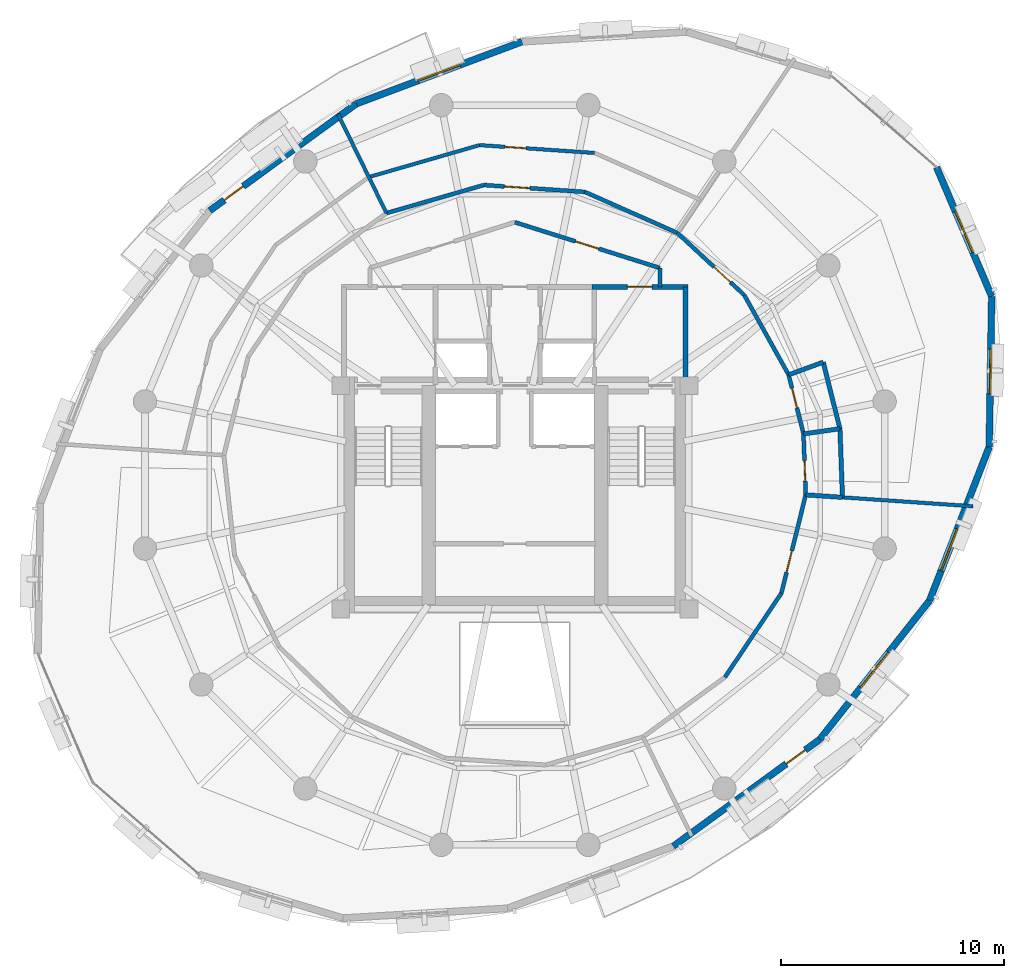
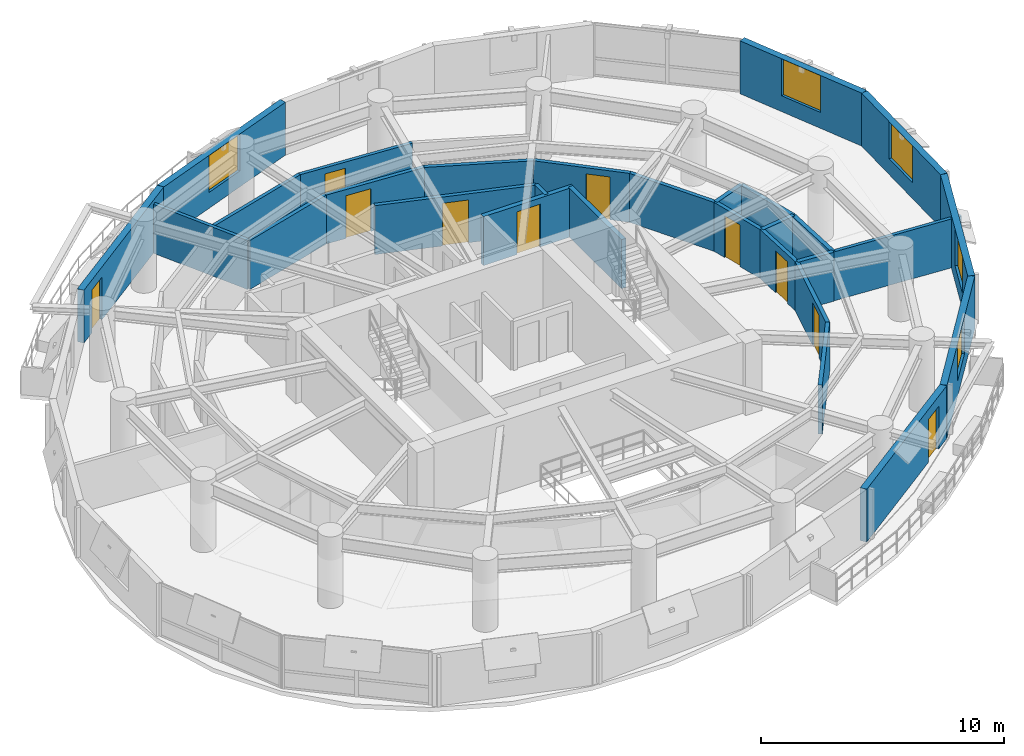
# One storey, part 9 of 12: 29 walls, 10 doors, 5 windows, 15 openings.
"""IFC4 building model written with IfcOpenShell, lengths in metres."""

from ifc_helpers import new_model, si_unit, direction, frame, frame_2d, origin, place, context, subcontext, project, spatial, rectangle, extrude, material, layer, layer_set, type_object, element, fill, save


model = new_model("IFC4")

# Units and contexts
model_context = context("Model", 3, precision=1e-05, world=origin(), true_north=direction((0.0, 1.0)))
body_context = subcontext(model_context, "Body", "Model", "MODEL_VIEW")
ifc_project = project(units=[si_unit("LENGTHUNIT", "METRE"), si_unit("AREAUNIT", "SQUARE_METRE"), si_unit("VOLUMEUNIT", "CUBIC_METRE"), si_unit("PLANEANGLEUNIT", "RADIAN"), si_unit("MASSUNIT", "GRAM", prefix="KILO"), si_unit("THERMODYNAMICTEMPERATUREUNIT", "KELVIN"), si_unit("POWERUNIT", "WATT")], contexts=[model_context])

# Site, building, storey
site_placement = place(None, origin())
site = spatial("IfcSite", under=ifc_project, at=site_placement, CompositionType="ELEMENT")
building_placement = place(site_placement, origin())
building = spatial("IfcBuilding", under=site, at=building_placement, Name="Ocrelia Relay Tower", CompositionType="ELEMENT")
storey_placement = place(building_placement, frame((0.0, 0.0, 184.39990234375)))
storey = spatial("IfcBuildingStorey", under=building, at=storey_placement, Name="L44", CompositionType="ELEMENT", Elevation=184.39990234375)

# Wall
ifc_material_1 = material(Name="Gypsum Fireboard Partition EI60", Category="gypsum")
ifc_layer_1 = layer(ifc_material_1, 0.179931640625, Name="Gypsum Fireboard Partition EI60")
ifc_layer_set_1 = layer_set([ifc_layer_1], Name="Gypsum Fireboard Partition EI60")
wall_type_1 = type_object("IfcWallType", Name="W-CORR-EI60-180", PredefinedType="PARTITIONING", material=ifc_layer_set_1)
wall_1_placement = place(storey_placement, frame((40.5, 35.280029296875, 0.0), z_axis=(0.0, 0.0, 1.0), x_axis=(0.0, -1.0, 0.0)))
element("IfcWall", 1, at=wall_1_placement, inside=storey, type_object=wall_type_1, Name="L44 Smoke Lobby East Return", PredefinedType="PARTITIONING", context=body_context, shape_type="SweptSolid", body=[
    extrude(rectangle(XDim=0.85009765625, YDim=0.179931640625, at=frame_2d((0.425048828125, 0.0))), origin(), (0.0, 0.0, 1.0), 2.460205078125),
])

# Wall, opening, door
wall_2_placement = place(storey_placement, frame((34.0, 37.330078125, 0.0), z_axis=(0.0, 0.0, 1.0), x_axis=(0.953691418528, -0.300786765376, 0.0)))
wall_2 = element("IfcWall", 2, at=wall_2_placement, inside=storey, type_object=wall_type_1, Name="L44 North Smoke Lobby E Screen Wall", PredefinedType="PARTITIONING", context=body_context, shape_type="SweptSolid", body=[
    extrude(rectangle(XDim=6.815673828125, YDim=0.179931640625, at=frame_2d((3.40771484375, 0.0))), origin(), (0.0, 0.0, 1.0), 2.460205078125),
])
opening_1_placement = place(wall_2_placement, frame((2.85791015625, 0.0, 0.0)))
opening_1 = element("IfcOpeningElement", 3, at=opening_1_placement, cuts=wall_2, Name="Opening D-FD60", PredefinedType="OPENING", context=body_context, shape_type="SweptSolid", body=[
    extrude(rectangle(XDim=1.10009765625, YDim=2.14990234375, at=frame_2d((0.550048828125, 1.074951171875))), frame((0.0, 0.10009765625, 0.0), z_axis=(0.0, -1.0, 0.0), x_axis=(1.0, 0.0, 0.0)), (0.0, 0.0, 1.0), 0.199951171875),
])
ifc_material_2 = material(Name="Timber-core 60-min acoustic fire door", Category="wood")
door_type_1 = type_object("IfcDoorType", Name="DR-LOBBY-FD60-1100", OperationType="NOTDEFINED", PredefinedType="DOOR", material=ifc_material_2)
door_1_placement = place(opening_1_placement, origin())
door_1 = element("IfcDoor", 4, at=door_1_placement, inside=storey, type_object=door_type_1, Name="L44 North Smoke Lobby E Fire Door", OperationType="SINGLE_SWING_LEFT", OverallHeight=2.14990234375, OverallWidth=1.10009765625, PredefinedType="DOOR", context=body_context, shape_type="SweptSolid", body=[
    extrude(rectangle(XDim=1.10009765625, YDim=2.14990234375, at=frame_2d((0.550048828125, 1.074951171875))), frame((0.0, 0.02490234375, 0.0), z_axis=(0.0, -1.0, 0.0), x_axis=(1.0, 0.0, 0.0)), (0.0, 0.0, 1.0), 0.050048828125),
])
fill(opening_1, door_1)

wall_3_placement = place(storey_placement, frame((47.039794921875, 25.111083984375, 0.0), z_axis=(0.0, 0.0, 1.0), x_axis=(-0.036634904667, 0.999328716569, 0.0)))
wall_3 = element("IfcWall", 5, at=wall_3_placement, inside=storey, type_object=wall_type_1, Name="L44 Staff Toilet Corridor Wall", PredefinedType="PARTITIONING", context=body_context, shape_type="SweptSolid", body=[
    extrude(rectangle(XDim=2.732421875, YDim=0.179931640625, at=frame_2d((1.3662109375, 0.0))), origin(), (0.0, 0.0, 1.0), 2.460205078125),
])
opening_2_placement = place(wall_3_placement, frame((0.61572265625, 0.0, 0.0)))
opening_2 = element("IfcOpeningElement", 6, at=opening_2_placement, cuts=wall_3, Name="Opening D-WC92", PredefinedType="OPENING", context=body_context, shape_type="SweptSolid", body=[
    extrude(rectangle(XDim=0.919921875, YDim=2.10009765625, at=frame_2d((0.4599609375, 1.050048828125))), frame((0.0, 0.10009765625, 0.0), z_axis=(0.0, -1.0, 0.0), x_axis=(1.0, 0.0, 0.0)), (0.0, 0.0, 1.0), 0.199951171875),
])
ifc_material_3 = material(Name="Laminate washroom door", Category="wood")
door_type_2 = type_object("IfcDoorType", Name="DR-WC-920", OperationType="NOTDEFINED", PredefinedType="DOOR", material=ifc_material_3)
door_2_placement = place(opening_2_placement, origin())
door_2 = element("IfcDoor", 7, at=door_2_placement, inside=storey, type_object=door_type_2, Name="L44 Staff Toilet Door", OperationType="SINGLE_SWING_RIGHT", OverallHeight=2.10009765625, OverallWidth=0.919921875, PredefinedType="DOOR", context=body_context, shape_type="SweptSolid", body=[
    extrude(rectangle(XDim=0.919921875, YDim=2.10009765625, at=frame_2d((0.4599609375, 1.050048828125))), frame((0.0, 0.02490234375, 0.0), z_axis=(0.0, -1.0, 0.0), x_axis=(1.0, 0.0, 0.0)), (0.0, 0.0, 1.0), 0.050048828125),
])
fill(opening_2, door_2)

wall_4_placement = place(storey_placement, frame((46.939697265625, 27.841552734375, 0.0), z_axis=(0.0, 0.0, 1.0), x_axis=(-0.243649676588, 0.96986330743, 0.0)))
wall_4 = element("IfcWall", 8, at=wall_4_placement, inside=storey, type_object=wall_type_1, Name="L44 Accessible Toilet Corridor Wall", PredefinedType="PARTITIONING", context=body_context, shape_type="SweptSolid", body=[
    extrude(rectangle(XDim=2.732421875, YDim=0.179931640625, at=frame_2d((1.3662109375, 0.0))), origin(), (0.0, 0.0, 1.0), 2.460205078125),
])
opening_3_placement = place(wall_4_placement, frame((1.196533203125, 0.0, 0.0)))
opening_3 = element("IfcOpeningElement", 9, at=opening_3_placement, cuts=wall_4, Name="Opening D-WC92", PredefinedType="OPENING", context=body_context, shape_type="SweptSolid", body=[
    extrude(rectangle(XDim=0.919921875, YDim=2.10009765625, at=frame_2d((0.4599609375, 1.050048828125))), frame((0.0, 0.10009765625, 0.0), z_axis=(0.0, -1.0, 0.0), x_axis=(1.0, 0.0, 0.0)), (0.0, 0.0, 1.0), 0.199951171875),
])
door_3_placement = place(opening_3_placement, origin())
door_3 = element("IfcDoor", 10, at=door_3_placement, inside=storey, type_object=door_type_2, Name="L44 Accessible Toilet Door", OperationType="SINGLE_SWING_LEFT", OverallHeight=2.10009765625, OverallWidth=0.919921875, PredefinedType="DOOR", context=body_context, shape_type="SweptSolid", body=[
    extrude(rectangle(XDim=0.919921875, YDim=2.10009765625, at=frame_2d((0.4599609375, 1.050048828125))), frame((0.0, 0.02490234375, 0.0), z_axis=(0.0, -1.0, 0.0), x_axis=(1.0, 0.0, 0.0)), (0.0, 0.0, 1.0), 0.050048828125),
])
fill(opening_3, door_3)

# Wall
wall_5_placement = place(storey_placement, frame((46.27392578125, 30.49169921875, 0.0), z_axis=(0.0, 0.0, 1.0), x_axis=(-0.486347391243, 0.873765537791, 0.0)))
element("IfcWall", 11, at=wall_5_placement, inside=storey, type_object=wall_type_1, Name="L44 Technical Reference Library Corridor Partition 1", PredefinedType="PARTITIONING", context=body_context, shape_type="SweptSolid", body=[
    extrude(rectangle(XDim=4.089111328125, YDim=0.179931640625, at=frame_2d((2.04443359375, 0.0))), origin(), (0.0, 0.0, 1.0), 2.460205078125),
])

# Wall, opening, door
wall_6_placement = place(storey_placement, frame((44.28515625, 34.064697265625, 0.0), z_axis=(0.0, 0.0, 1.0), x_axis=(-0.73251486361, 0.680751037157, 0.0)))
wall_6 = element("IfcWall", 12, at=wall_6_placement, inside=storey, type_object=wall_type_1, Name="L44 Technical Reference Library Corridor Partition 2", PredefinedType="PARTITIONING", context=body_context, shape_type="SweptSolid", body=[
    extrude(rectangle(XDim=4.089111328125, YDim=0.179931640625, at=frame_2d((2.04443359375, 0.0))), origin(), (0.0, 0.0, 1.0), 2.460205078125),
])
opening_4_placement = place(wall_6_placement, frame((0.847412109375, 0.0, 0.0)))
opening_4 = element("IfcOpeningElement", 13, at=opening_4_placement, cuts=wall_6, Name="Opening D-RM100", PredefinedType="OPENING", context=body_context, shape_type="SweptSolid", body=[
    extrude(rectangle(XDim=1.0, YDim=2.14990234375, at=frame_2d((0.5, 1.074951171875))), frame((0.0, 0.10009765625, 0.0), z_axis=(0.0, -1.0, 0.0), x_axis=(1.0, 0.0, 0.0)), (0.0, 0.0, 1.0), 0.199951171875),
])
ifc_material_4 = material(Name="Acoustic oak veneer fire door", Category="wood")
door_type_3 = type_object("IfcDoorType", Name="DR-ROOM-FD60-1000", OperationType="NOTDEFINED", PredefinedType="DOOR", material=ifc_material_4)
door_4_placement = place(opening_4_placement, origin())
door_4 = element("IfcDoor", 14, at=door_4_placement, inside=storey, type_object=door_type_3, Name="L44 Technical Reference Library Entrance Door", OperationType="SINGLE_SWING_RIGHT", OverallHeight=2.14990234375, OverallWidth=1.0, PredefinedType="DOOR", context=body_context, shape_type="SweptSolid", body=[
    extrude(rectangle(XDim=1.0, YDim=2.14990234375, at=frame_2d((0.5, 1.074951171875))), frame((0.0, 0.02490234375, 0.0), z_axis=(0.0, -1.0, 0.0), x_axis=(1.0, 0.0, 0.0)), (0.0, 0.0, 1.0), 0.050048828125),
])
fill(opening_4, door_4)

# Wall
wall_7_placement = place(storey_placement, frame((41.289794921875, 36.848388671875, 0.0), z_axis=(0.0, 0.0, 1.0), x_axis=(-0.914263453777, 0.405120151421, 0.0)))
element("IfcWall", 15, at=wall_7_placement, inside=storey, type_object=wall_type_1, Name="L44 Cloud Engineering Workspace Corridor Partition 1", PredefinedType="PARTITIONING", context=body_context, shape_type="SweptSolid", body=[
    extrude(rectangle(XDim=4.5390625, YDim=0.179931640625, at=frame_2d((2.26953125, 0.0))), origin(), (0.0, 0.0, 1.0), 2.460205078125),
])

# Wall, opening, door
wall_8_placement = place(storey_placement, frame((37.139892578125, 38.687255859375, 0.0), z_axis=(0.0, 0.0, 1.0), x_axis=(-0.997682863043, 0.068036055081, 0.0)))
wall_8 = element("IfcWall", 16, at=wall_8_placement, inside=storey, type_object=wall_type_1, Name="L44 Cloud Engineering Workspace Corridor Partition 2", PredefinedType="PARTITIONING", context=body_context, shape_type="SweptSolid", body=[
    extrude(rectangle(XDim=4.539306640625, YDim=0.179931640625, at=frame_2d((2.26953125, 0.0))), origin(), (0.0, 0.0, 1.0), 2.460205078125),
])
opening_5_placement = place(wall_8_placement, frame((2.466796875, 0.0, 0.0)))
opening_5 = element("IfcOpeningElement", 17, at=opening_5_placement, cuts=wall_8, Name="Opening D-RM115", PredefinedType="OPENING", context=body_context, shape_type="SweptSolid", body=[
    extrude(rectangle(XDim=1.14990234375, YDim=2.14990234375, at=frame_2d((0.574951171875, 1.074951171875))), frame((0.0, 0.10009765625, 0.0), z_axis=(0.0, -1.0, 0.0), x_axis=(1.0, 0.0, 0.0)), (0.0, 0.0, 1.0), 0.199951171875),
])
ifc_material_5 = material(Name="Wide acoustic oak veneer fire door", Category="wood")
door_type_4 = type_object("IfcDoorType", Name="DR-ROOM-1150", OperationType="NOTDEFINED", PredefinedType="DOOR", material=ifc_material_5)
door_5_placement = place(opening_5_placement, origin())
door_5 = element("IfcDoor", 18, at=door_5_placement, inside=storey, type_object=door_type_4, Name="L44 Cloud Engineering Workspace Entrance Door", OperationType="SINGLE_SWING_LEFT", OverallHeight=2.14990234375, OverallWidth=1.14990234375, PredefinedType="DOOR", context=body_context, shape_type="SweptSolid", body=[
    extrude(rectangle(XDim=1.14990234375, YDim=2.14990234375, at=frame_2d((0.574951171875, 1.074951171875))), frame((0.0, 0.02490234375, 0.0), z_axis=(0.0, -1.0, 0.0), x_axis=(1.0, 0.0, 0.0)), (0.0, 0.0, 1.0), 0.050048828125),
])
fill(opening_5, door_5)

# Walls
wall_9_placement = place(storey_placement, frame((32.611083984375, 38.99609375, 0.0), z_axis=(0.0, 0.0, 1.0), x_axis=(-0.960777578055, -0.27732011378, 0.0)))
element("IfcWall", 19, at=wall_9_placement, inside=storey, type_object=wall_type_1, Name="L44 Cloud Engineering Workspace Corridor Partition 3", PredefinedType="PARTITIONING", context=body_context, shape_type="SweptSolid", body=[
    extrude(rectangle(XDim=4.5390625, YDim=0.179931640625, at=frame_2d((2.26953125, 0.0))), origin(), (0.0, 0.0, 1.0), 2.460205078125),
])
wall_10_placement = place(storey_placement, frame((43.41748046875, 16.937255859375, 0.0), z_axis=(0.0, 0.0, 1.0), x_axis=(0.557749790802, 0.830009139022, 0.0)))
element("IfcWall", 20, at=wall_10_placement, inside=storey, type_object=wall_type_1, Name="L44 Fiber Patch Store Corridor Partition 2", PredefinedType="PARTITIONING", context=body_context, shape_type="SweptSolid", body=[
    extrude(rectangle(XDim=4.539306640625, YDim=0.179931640625, at=frame_2d((2.26953125, 0.0))), origin(), (0.0, 0.0, 1.0), 2.460205078125),
])

# Wall, opening, door
wall_11_placement = place(storey_placement, frame((45.94921875, 20.704833984375, 0.0), z_axis=(0.0, 0.0, 1.0), x_axis=(0.240257009057, 0.970709312616, 0.0)))
wall_11 = element("IfcWall", 21, at=wall_11_placement, inside=storey, type_object=wall_type_1, Name="L44 Fiber Patch Store Corridor Partition 3", PredefinedType="PARTITIONING", context=body_context, shape_type="SweptSolid", body=[
    extrude(rectangle(XDim=4.539306640625, YDim=0.179931640625, at=frame_2d((2.26953125, 0.0))), origin(), (0.0, 0.0, 1.0), 2.460205078125),
])
opening_6_placement = place(wall_11_placement, frame((0.959716796875, 0.0, 0.0)))
opening_6 = element("IfcOpeningElement", 22, at=opening_6_placement, cuts=wall_11, Name="Opening D-RM100", PredefinedType="OPENING", context=body_context, shape_type="SweptSolid", body=[
    extrude(rectangle(XDim=1.0, YDim=2.14990234375, at=frame_2d((0.5, 1.074951171875))), frame((0.0, 0.10009765625, 0.0), z_axis=(0.0, -1.0, 0.0), x_axis=(1.0, 0.0, 0.0)), (0.0, 0.0, 1.0), 0.199951171875),
])
door_6_placement = place(opening_6_placement, origin())
door_6 = element("IfcDoor", 23, at=door_6_placement, inside=storey, type_object=door_type_3, Name="L44 Fiber Patch Store Entrance Door", OperationType="SINGLE_SWING_RIGHT", OverallHeight=2.14990234375, OverallWidth=1.0, PredefinedType="DOOR", context=body_context, shape_type="SweptSolid", body=[
    extrude(rectangle(XDim=1.0, YDim=2.14990234375, at=frame_2d((0.5, 1.074951171875))), frame((0.0, 0.02490234375, 0.0), z_axis=(0.0, -1.0, 0.0), x_axis=(1.0, 0.0, 0.0)), (0.0, 0.0, 1.0), 0.050048828125),
])
fill(opening_6, door_6)

# Wall, opening, window
ifc_material_6 = material(Name="Precast concrete C40/50 with oxide terracotta", Category="masonry")
ifc_layer_2 = layer(ifc_material_6, 0.300048828125, Name="Precast concrete C40/50 with oxide terracotta")
ifc_layer_set_2 = layer_set([ifc_layer_2], Name="Precast concrete C40/50 with oxide terracotta")
wall_type_2 = type_object("IfcWallType", Name="W-EXT-TERR-300", PredefinedType="SOLIDWALL", material=ifc_layer_set_2)
wall_12_placement = place(storey_placement, frame((34.31982421875, 45.4189453125, 0.0), z_axis=(0.0, 0.0, 1.0), x_axis=(-0.93641901012, -0.350883794846, 0.0)))
wall_12 = element("IfcWall", 24, at=wall_12_placement, inside=storey, type_object=wall_type_2, Name="L44 Oxide Terracotta Facade Wall 04", PredefinedType="SOLIDWALL", context=body_context, shape_type="SweptSolid", body=[
    extrude(rectangle(XDim=7.927001953125, YDim=0.300048828125, at=frame_2d((3.96337890625, 0.0))), origin(), (0.0, 0.0, 1.0), 2.66015625),
])
opening_7_placement = place(wall_12_placement, frame((2.964111328125, 0.0, 0.800048828125)))
opening_7 = element("IfcOpeningElement", 25, at=opening_7_placement, cuts=wall_12, Name="Opening W-03", PredefinedType="OPENING", context=body_context, shape_type="SweptSolid", body=[
    extrude(rectangle(XDim=2.0, YDim=1.85009765625, at=frame_2d((1.0, 0.925048828125))), frame((0.0, 0.16015625, 0.0), z_axis=(0.0, -1.0, 0.0), x_axis=(1.0, 0.0, 0.0)), (0.0, 0.0, 1.0), 0.320068359375),
])
ifc_material_7 = material(Name="Clear double-glazed low-E glass", Category="glass")
window_type = type_object("IfcWindowType", Name="WIN-Z3-2000x2200", PartitioningType="DOUBLE_PANEL_VERTICAL", PredefinedType="WINDOW", material=ifc_material_7)
window_1_placement = place(opening_7_placement, origin())
window_1 = element("IfcWindow", 26, at=window_1_placement, inside=storey, type_object=window_type, Name="L44 Facade Module Window 04", OverallHeight=1.85009765625, OverallWidth=2.0, PartitioningType="SINGLE_PANEL", PredefinedType="WINDOW", context=body_context, shape_type="SweptSolid", body=[
    extrude(rectangle(XDim=2.0, YDim=1.85009765625, at=frame_2d((1.0, 0.925048828125))), frame((0.0, 0.030029296875, 0.0), z_axis=(0.0, -1.0, 0.0), x_axis=(1.0, 0.0, 0.0)), (0.0, 0.0, 1.0), 0.06005859375),
])
fill(opening_7, window_1)

# Wall, opening, door
wall_13_placement = place(storey_placement, frame((26.896728515625, 42.637451171875, 0.0), z_axis=(0.0, 0.0, 1.0), x_axis=(-0.807978032086, -0.589212609901, 0.0)))
wall_13 = element("IfcWall", 27, at=wall_13_placement, inside=storey, type_object=wall_type_2, Name="L44 Oxide Terracotta Facade Wall 05", PredefinedType="SOLIDWALL", context=body_context, shape_type="SweptSolid", body=[
    extrude(rectangle(XDim=8.126708984375, YDim=0.300048828125, at=frame_2d((4.0634765625, 0.0))), origin(), (0.0, 0.0, 1.0), 2.66015625),
])
opening_8_placement = place(wall_13_placement, frame((6.27001953125, 0.0, 0.0)))
opening_8 = element("IfcOpeningElement", 28, at=opening_8_placement, cuts=wall_13, Name="Opening DB-105", PredefinedType="OPENING", context=body_context, shape_type="SweptSolid", body=[
    extrude(rectangle(XDim=1.050048828125, YDim=2.14990234375, at=frame_2d((0.52490234375, 1.074951171875))), frame((0.0, 0.16015625, 0.0), z_axis=(0.0, -1.0, 0.0), x_axis=(1.0, 0.0, 0.0)), (0.0, 0.0, 1.0), 0.320068359375),
])
ifc_material_8 = material(Name="Thermally broken aluminium and clear glass", Category="aluminium")
door_type_5 = type_object("IfcDoorType", Name="DR-BALC-1050", OperationType="NOTDEFINED", PredefinedType="DOOR", material=ifc_material_8)
door_7_placement = place(opening_8_placement, origin())
door_7 = element("IfcDoor", 29, at=door_7_placement, inside=storey, type_object=door_type_5, Name="L44 Planted Loggia Balcony Door B1", OperationType="SINGLE_SWING_LEFT", OverallHeight=2.14990234375, OverallWidth=1.050048828125, PredefinedType="DOOR", context=body_context, shape_type="SweptSolid", body=[
    extrude(rectangle(XDim=1.050048828125, YDim=2.14990234375, at=frame_2d((0.52490234375, 1.074951171875))), frame((0.0, 0.02490234375, 0.0), z_axis=(0.0, -1.0, 0.0), x_axis=(1.0, 0.0, 0.0)), (0.0, 0.0, 1.0), 0.050048828125),
])
fill(opening_8, door_7)

wall_14_placement = place(storey_placement, frame((41.103271484375, 9.362548828125, 0.0), z_axis=(0.0, 0.0, 1.0), x_axis=(0.807978032086, 0.589212609901, 0.0)))
wall_14 = element("IfcWall", 30, at=wall_14_placement, inside=storey, type_object=wall_type_2, Name="L44 Oxide Terracotta Facade Wall 14", PredefinedType="SOLIDWALL", context=body_context, shape_type="SweptSolid", body=[
    extrude(rectangle(XDim=8.126708984375, YDim=0.300048828125, at=frame_2d((4.0634765625, 0.0))), origin(), (0.0, 0.0, 1.0), 2.66015625),
])
opening_9_placement = place(wall_14_placement, frame((6.27001953125, 0.0, 0.0)))
opening_9 = element("IfcOpeningElement", 31, at=opening_9_placement, cuts=wall_14, Name="Opening DB-105", PredefinedType="OPENING", context=body_context, shape_type="SweptSolid", body=[
    extrude(rectangle(XDim=1.050048828125, YDim=2.14990234375, at=frame_2d((0.52490234375, 1.074951171875))), frame((0.0, 0.16015625, 0.0), z_axis=(0.0, -1.0, 0.0), x_axis=(1.0, 0.0, 0.0)), (0.0, 0.0, 1.0), 0.320068359375),
])
door_8_placement = place(opening_9_placement, origin())
door_8 = element("IfcDoor", 32, at=door_8_placement, inside=storey, type_object=door_type_5, Name="L44 Planted Loggia Balcony Door B2", OperationType="SINGLE_SWING_LEFT", OverallHeight=2.14990234375, OverallWidth=1.050048828125, PredefinedType="DOOR", context=body_context, shape_type="SweptSolid", body=[
    extrude(rectangle(XDim=1.050048828125, YDim=2.14990234375, at=frame_2d((0.52490234375, 1.074951171875))), frame((0.0, 0.02490234375, 0.0), z_axis=(0.0, -1.0, 0.0), x_axis=(1.0, 0.0, 0.0)), (0.0, 0.0, 1.0), 0.050048828125),
])
fill(opening_9, door_8)

# Wall, opening, window
wall_15_placement = place(storey_placement, frame((47.66943359375, 14.15087890625, 0.0), z_axis=(0.0, 0.0, 1.0), x_axis=(0.620355005737, 0.784321150331, 0.0)))
wall_15 = element("IfcWall", 33, at=wall_15_placement, inside=storey, type_object=wall_type_2, Name="L44 Oxide Terracotta Facade Wall 15", PredefinedType="SOLIDWALL", context=body_context, shape_type="SweptSolid", body=[
    extrude(rectangle(XDim=7.92724609375, YDim=0.300048828125, at=frame_2d((3.963623046875, 0.0))), origin(), (0.0, 0.0, 1.0), 2.66015625),
])
opening_10_placement = place(wall_15_placement, frame((2.964111328125, 0.0, 0.800048828125)))
opening_10 = element("IfcOpeningElement", 34, at=opening_10_placement, cuts=wall_15, Name="Opening W-03", PredefinedType="OPENING", context=body_context, shape_type="SweptSolid", body=[
    extrude(rectangle(XDim=2.0, YDim=1.85009765625, at=frame_2d((1.0, 0.925048828125))), frame((0.0, 0.16015625, 0.0), z_axis=(0.0, -1.0, 0.0), x_axis=(1.0, 0.0, 0.0)), (0.0, 0.0, 1.0), 0.320068359375),
])
window_2_placement = place(opening_10_placement, origin())
window_2 = element("IfcWindow", 35, at=window_2_placement, inside=storey, type_object=window_type, Name="L44 Facade Module Window 15", OverallHeight=1.85009765625, OverallWidth=2.0, PartitioningType="SINGLE_PANEL", PredefinedType="WINDOW", context=body_context, shape_type="SweptSolid", body=[
    extrude(rectangle(XDim=2.0, YDim=1.85009765625, at=frame_2d((1.0, 0.925048828125))), frame((0.0, 0.030029296875, 0.0), z_axis=(0.0, -1.0, 0.0), x_axis=(1.0, 0.0, 0.0)), (0.0, 0.0, 1.0), 0.06005859375),
])
fill(opening_10, window_2)

wall_16_placement = place(storey_placement, frame((52.587158203125, 20.368408203125, 0.0), z_axis=(0.0, 0.0, 1.0), x_axis=(0.361691208155, 0.93229795127, 0.0)))
wall_16 = element("IfcWall", 36, at=wall_16_placement, inside=storey, type_object=wall_type_2, Name="L44 Oxide Terracotta Facade Wall 16", PredefinedType="SOLIDWALL", context=body_context, shape_type="SweptSolid", body=[
    extrude(rectangle(XDim=7.397216796875, YDim=0.300048828125, at=frame_2d((3.69873046875, 0.0))), origin(), (0.0, 0.0, 1.0), 2.66015625),
])
opening_11_placement = place(wall_16_placement, frame((1.43896484375, 0.0, 0.800048828125)))
opening_11 = element("IfcOpeningElement", 37, at=opening_11_placement, cuts=wall_16, Name="Opening W-03", PredefinedType="OPENING", context=body_context, shape_type="SweptSolid", body=[
    extrude(rectangle(XDim=2.0, YDim=1.85009765625, at=frame_2d((1.0, 0.925048828125))), frame((0.0, 0.16015625, 0.0), z_axis=(0.0, -1.0, 0.0), x_axis=(1.0, 0.0, 0.0)), (0.0, 0.0, 1.0), 0.320068359375),
])
window_3_placement = place(opening_11_placement, origin())
window_3 = element("IfcWindow", 38, at=window_3_placement, inside=storey, type_object=window_type, Name="L44 Facade Module Window 16", OverallHeight=1.85009765625, OverallWidth=2.0, PartitioningType="SINGLE_PANEL", PredefinedType="WINDOW", context=body_context, shape_type="SweptSolid", body=[
    extrude(rectangle(XDim=2.0, YDim=1.85009765625, at=frame_2d((1.0, 0.925048828125))), frame((0.0, 0.030029296875, 0.0), z_axis=(0.0, -1.0, 0.0), x_axis=(1.0, 0.0, 0.0)), (0.0, 0.0, 1.0), 0.06005859375),
])
fill(opening_11, window_3)

wall_17_placement = place(storey_placement, frame((55.2626953125, 27.264892578125, 0.0), z_axis=(0.0, 0.0, 1.0), x_axis=(0.016468950616, 0.999864377636, 0.0)))
wall_17 = element("IfcWall", 39, at=wall_17_placement, inside=storey, type_object=wall_type_2, Name="L44 Oxide Terracotta Facade Wall 17", PredefinedType="SOLIDWALL", context=body_context, shape_type="SweptSolid", body=[
    extrude(rectangle(XDim=6.7451171875, YDim=0.300048828125, at=frame_2d((3.37255859375, 0.0))), origin(), (0.0, 0.0, 1.0), 2.66015625),
])
opening_12_placement = place(wall_17_placement, frame((2.373046875, 0.0, 0.800048828125)))
opening_12 = element("IfcOpeningElement", 40, at=opening_12_placement, cuts=wall_17, Name="Opening W-03", PredefinedType="OPENING", context=body_context, shape_type="SweptSolid", body=[
    extrude(rectangle(XDim=2.0, YDim=1.85009765625, at=frame_2d((1.0, 0.925048828125))), frame((0.0, 0.16015625, 0.0), z_axis=(0.0, -1.0, 0.0), x_axis=(1.0, 0.0, 0.0)), (0.0, 0.0, 1.0), 0.320068359375),
])
window_4_placement = place(opening_12_placement, origin())
window_4 = element("IfcWindow", 41, at=window_4_placement, inside=storey, type_object=window_type, Name="L44 Facade Module Window 17", OverallHeight=1.85009765625, OverallWidth=2.0, PartitioningType="SINGLE_PANEL", PredefinedType="WINDOW", context=body_context, shape_type="SweptSolid", body=[
    extrude(rectangle(XDim=2.0, YDim=1.85009765625, at=frame_2d((1.0, 0.925048828125))), frame((0.0, 0.030029296875, 0.0), z_axis=(0.0, -1.0, 0.0), x_axis=(1.0, 0.0, 0.0)), (0.0, 0.0, 1.0), 0.06005859375),
])
fill(opening_12, window_4)

wall_18_placement = place(storey_placement, frame((55.373779296875, 34.009033203125, 0.0), z_axis=(0.0, 0.0, 1.0), x_axis=(-0.392638555799, 0.919692864222, 0.0)))
wall_18 = element("IfcWall", 42, at=wall_18_placement, inside=storey, type_object=wall_type_2, Name="L44 Oxide Terracotta Facade Wall 18", PredefinedType="SOLIDWALL", context=body_context, shape_type="SweptSolid", body=[
    extrude(rectangle(XDim=6.28271484375, YDim=0.300048828125, at=frame_2d((3.141357421875, 0.0))), origin(), (0.0, 0.0, 1.0), 2.66015625),
])
opening_13_placement = place(wall_18_placement, frame((2.14111328125, 0.0, 0.800048828125)))
opening_13 = element("IfcOpeningElement", 43, at=opening_13_placement, cuts=wall_18, Name="Opening W-03", PredefinedType="OPENING", context=body_context, shape_type="SweptSolid", body=[
    extrude(rectangle(XDim=2.0, YDim=1.85009765625, at=frame_2d((1.0, 0.925048828125))), frame((0.0, 0.16015625, 0.0), z_axis=(0.0, -1.0, 0.0), x_axis=(1.0, 0.0, 0.0)), (0.0, 0.0, 1.0), 0.320068359375),
])
window_5_placement = place(opening_13_placement, origin())
window_5 = element("IfcWindow", 44, at=window_5_placement, inside=storey, type_object=window_type, Name="L44 Facade Module Window 18", OverallHeight=1.85009765625, OverallWidth=2.0, PartitioningType="SINGLE_PANEL", PredefinedType="WINDOW", context=body_context, shape_type="SweptSolid", body=[
    extrude(rectangle(XDim=2.0, YDim=1.85009765625, at=frame_2d((1.0, 0.925048828125))), frame((0.0, 0.030029296875, 0.0), z_axis=(0.0, -1.0, 0.0), x_axis=(1.0, 0.0, 0.0)), (0.0, 0.0, 1.0), 0.06005859375),
])
fill(opening_13, window_5)

# Wall
ifc_material_9 = material(Name="Concrete C50/60", Category="concrete")
ifc_layer_3 = layer(ifc_material_9, 0.219970703125, Name="Concrete C50/60")
ifc_layer_set_3 = layer_set([ifc_layer_3], Name="Concrete C50/60")
wall_type_3 = type_object("IfcWallType", Name="W-FFL-EI120-220", PredefinedType="SOLIDWALL", material=ifc_layer_set_3)
wall_19_placement = place(storey_placement, frame((41.64990234375, 30.050048828125, 0.0), z_axis=(0.0, 0.0, 1.0), x_axis=(0.0, 1.0, 0.0)))
element("IfcWall", 45, at=wall_19_placement, inside=storey, type_object=wall_type_3, Name="L44 E Fire Service Lift Lobby East Wall", PredefinedType="SOLIDWALL", context=body_context, shape_type="SweptSolid", body=[
    extrude(rectangle(XDim=4.3798828125, YDim=0.219970703125, at=frame_2d((2.18994140625, 0.0))), origin(), (0.0, 0.0, 1.0), 2.460205078125),
])

# Wall, opening, door
wall_20_placement = place(storey_placement, frame((37.449951171875, 34.429931640625, 0.0), z_axis=(0.0, 0.0, 1.0), x_axis=(1.0, 0.0, 0.0)))
wall_20 = element("IfcWall", 46, at=wall_20_placement, inside=storey, type_object=wall_type_3, Name="L44 E Fire Service Lift Lobby North Wall", PredefinedType="SOLIDWALL", context=body_context, shape_type="SweptSolid", body=[
    extrude(rectangle(XDim=4.31005859375, YDim=0.219970703125, at=frame_2d((2.155029296875, 0.0))), origin(), (0.0, 0.0, 1.0), 2.460205078125),
])
opening_14_placement = place(wall_20_placement, frame((1.60009765625, 0.0, 0.0)))
opening_14 = element("IfcOpeningElement", 47, at=opening_14_placement, cuts=wall_20, Name="Opening D-FD60", PredefinedType="OPENING", context=body_context, shape_type="SweptSolid", body=[
    extrude(rectangle(XDim=1.10009765625, YDim=2.14990234375, at=frame_2d((0.550048828125, 1.074951171875))), frame((0.0, 0.1201171875, 0.0), z_axis=(0.0, -1.0, 0.0), x_axis=(1.0, 0.0, 0.0)), (0.0, 0.0, 1.0), 0.239990234375),
])
door_9_placement = place(opening_14_placement, origin())
door_9 = element("IfcDoor", 48, at=door_9_placement, inside=storey, type_object=door_type_1, Name="L44 E Fire Service Lift Lobby Exit Door", OperationType="SINGLE_SWING_RIGHT", OverallHeight=2.14990234375, OverallWidth=1.10009765625, PredefinedType="DOOR", context=body_context, shape_type="SweptSolid", body=[
    extrude(rectangle(XDim=1.10009765625, YDim=2.14990234375, at=frame_2d((0.550048828125, 1.074951171875))), frame((0.0, 0.02490234375, 0.0), z_axis=(0.0, -1.0, 0.0), x_axis=(1.0, 0.0, 0.0)), (0.0, 0.0, 1.0), 0.050048828125),
])
fill(opening_14, door_9)

# Walls
ifc_material_10 = material(Name="Acoustic Fireboard Partition EI60", Category="gypsum")
ifc_layer_4 = layer(ifc_material_10, 0.159912109375, Name="Acoustic Fireboard Partition EI60")
ifc_layer_set_4 = layer_set([ifc_layer_4], Name="Acoustic Fireboard Partition EI60")
wall_type_4 = type_object("IfcWallType", Name="W-PART-160", PredefinedType="PARTITIONING", material=ifc_layer_set_4)
wall_21_placement = place(storey_placement, frame((48.685791015625, 24.998779296875, 0.0), z_axis=(0.0, 0.0, 1.0), x_axis=(0.997685427536, -0.067998438828, 0.0)))
element("IfcWall", 49, at=wall_21_placement, inside=storey, type_object=wall_type_4, Name="L44 Technical Reference Library Radial Partition", PredefinedType="PARTITIONING", context=body_context, shape_type="SweptSolid", body=[
    extrude(rectangle(XDim=5.859619140625, YDim=0.159912109375, at=frame_2d((2.9296875, 0.0))), origin(), (0.0, 0.0, 1.0), 2.460205078125),
])
wall_22_placement = place(storey_placement, frame((28.25, 37.7373046875, 0.0), z_axis=(0.0, 0.0, 1.0), x_axis=(-0.439928419605, 0.898032842175, 0.0)))
element("IfcWall", 50, at=wall_22_placement, inside=storey, type_object=wall_type_4, Name="L44 Cloud Engineering Workspace Radial Partition", PredefinedType="PARTITIONING", context=body_context, shape_type="SweptSolid", body=[
    extrude(rectangle(XDim=4.94287109375, YDim=0.159912109375, at=frame_2d((2.471435546875, 0.0))), origin(), (0.0, 0.0, 1.0), 2.460205078125),
])

# Wall, opening, door
wall_23_placement = place(storey_placement, frame((37.572265625, 40.4345703125, 0.0), z_axis=(0.0, 0.0, 1.0), x_axis=(-0.997683401004, 0.068028165942, 0.0)))
wall_23 = element("IfcWall", 51, at=wall_23_placement, inside=storey, type_object=wall_type_4, Name="L44 Perimeter Cloud Engineering Workspace Mid-Ring Partition 2", PredefinedType="PARTITIONING", context=body_context, shape_type="SweptSolid", body=[
    extrude(rectangle(XDim=5.164306640625, YDim=0.159912109375, at=frame_2d((2.58203125, 0.0))), origin(), (0.0, 0.0, 1.0), 2.460205078125),
])
opening_15_placement = place(wall_23_placement, frame((3.07080078125, 0.0, 0.0)))
opening_15 = element("IfcOpeningElement", 52, at=opening_15_placement, cuts=wall_23, Name="Opening D-RM95", PredefinedType="OPENING", context=body_context, shape_type="SweptSolid", body=[
    extrude(rectangle(XDim=0.949951171875, YDim=2.14990234375, at=frame_2d((0.47509765625, 1.074951171875))), frame((0.0, 0.08984375, 0.0), z_axis=(0.0, -1.0, 0.0), x_axis=(1.0, 0.0, 0.0)), (0.0, 0.0, 1.0), 0.179931640625),
])
door_type_6 = type_object("IfcDoorType", Name="DR-ROOM-950", OperationType="NOTDEFINED", PredefinedType="DOOR", material=ifc_material_4)
door_10_placement = place(opening_15_placement, origin())
door_10 = element("IfcDoor", 53, at=door_10_placement, inside=storey, type_object=door_type_6, Name="L44 Perimeter Cloud Engineering Workspace Connecting Door", OperationType="SINGLE_SWING_RIGHT", OverallHeight=2.14990234375, OverallWidth=0.949951171875, PredefinedType="DOOR", context=body_context, shape_type="SweptSolid", body=[
    extrude(rectangle(XDim=0.949951171875, YDim=2.14990234375, at=frame_2d((0.47509765625, 1.074951171875))), frame((0.0, 0.02490234375, 0.0), z_axis=(0.0, -1.0, 0.0), x_axis=(1.0, 0.0, 0.0)), (0.0, 0.0, 1.0), 0.050048828125),
])
fill(opening_15, door_10)

# Walls
wall_24_placement = place(storey_placement, frame((32.419921875, 40.785888671875, 0.0), z_axis=(0.0, 0.0, 1.0), x_axis=(-0.960781939833, -0.277305001922, 0.0)))
element("IfcWall", 54, at=wall_24_placement, inside=storey, type_object=wall_type_4, Name="L44 Perimeter Cloud Engineering Workspace Mid-Ring Partition 3", PredefinedType="PARTITIONING", context=body_context, shape_type="SweptSolid", body=[
    extrude(rectangle(XDim=5.16455078125, YDim=0.159912109375, at=frame_2d((2.582275390625, 0.0))), origin(), (0.0, 0.0, 1.0), 2.460205078125),
])
ifc_material_11 = material(Name="Moisture-Resistant Fireboard Chase Wall EI60", Category="gypsum")
ifc_layer_5 = layer(ifc_material_11, 0.199951171875, Name="Moisture-Resistant Fireboard Chase Wall EI60")
ifc_layer_set_5 = layer_set([ifc_layer_5], Name="Moisture-Resistant Fireboard Chase Wall EI60")
wall_type_5 = type_object("IfcWallType", Name="W-PLUMB-200", PredefinedType="PLUMBINGWALL", material=ifc_layer_set_5)
for number, where, z_axis, x_axis, name in (
    (55, (47.039794921875, 25.111083984375, 0.0), (0.0, 0.0, 1.0), (0.997680496128, -0.068070754705, 0.0), "L44 Staff Toilet Plumbing Radial Wall"),
    (56, (46.939697265625, 27.841552734375, 0.0), (0.0, 0.0, 1.0), (0.990005648905, 0.141027710524, 0.0), "L44 Staff Toilet Plumbing Radial Wall"),
):
    element("IfcWall", number, at=place(storey_placement, frame(where, z_axis=z_axis, x_axis=x_axis)), inside=storey, type_object=wall_type_5, Name=name, PredefinedType="PLUMBINGWALL", context=body_context, shape_type="SweptSolid", body=[
        extrude(rectangle(XDim=1.64990234375, YDim=0.199951171875, at=frame_2d((0.824951171875, 0.0))), origin(), (0.0, 0.0, 1.0), 2.460205078125),
    ])
wall_25_placement = place(storey_placement, frame((48.685791015625, 24.998779296875, 0.0), z_axis=(0.0, 0.0, 1.0), x_axis=(-0.036650757997, 0.999328135268, 0.0)))
element("IfcWall", 57, at=wall_25_placement, inside=storey, type_object=wall_type_5, Name="L44 Staff Toilet Back Plumbing Wall", PredefinedType="PLUMBINGWALL", context=body_context, shape_type="SweptSolid", body=[
    extrude(rectangle(XDim=3.077392578125, YDim=0.199951171875, at=frame_2d((1.53857421875, 0.0))), origin(), (0.0, 0.0, 1.0), 2.460205078125),
])
wall_26_placement = place(storey_placement, frame((46.27392578125, 30.49169921875, 0.0), z_axis=(0.0, 0.0, 1.0), x_axis=(0.939126345446, 0.343571982689, 0.0)))
element("IfcWall", 58, at=wall_26_placement, inside=storey, type_object=wall_type_5, Name="L44 Accessible Toilet Plumbing Radial Wall", PredefinedType="PLUMBINGWALL", context=body_context, shape_type="SweptSolid", body=[
    extrude(rectangle(XDim=1.64990234375, YDim=0.199951171875, at=frame_2d((0.824951171875, 0.0))), origin(), (0.0, 0.0, 1.0), 2.460205078125),
])
wall_27_placement = place(storey_placement, frame((48.572998046875, 28.07421875, 0.0), z_axis=(0.0, 0.0, 1.0), x_axis=(-0.243580936015, 0.969880573891, 0.0)))
element("IfcWall", 59, at=wall_27_placement, inside=storey, type_object=wall_type_5, Name="L44 Accessible Toilet Back Plumbing Wall", PredefinedType="PLUMBINGWALL", context=body_context, shape_type="SweptSolid", body=[
    extrude(rectangle(XDim=3.0771484375, YDim=0.199951171875, at=frame_2d((1.53857421875, 0.0))), origin(), (0.0, 0.0, 1.0), 2.460205078125),
])

save(model, "model.ifc")
